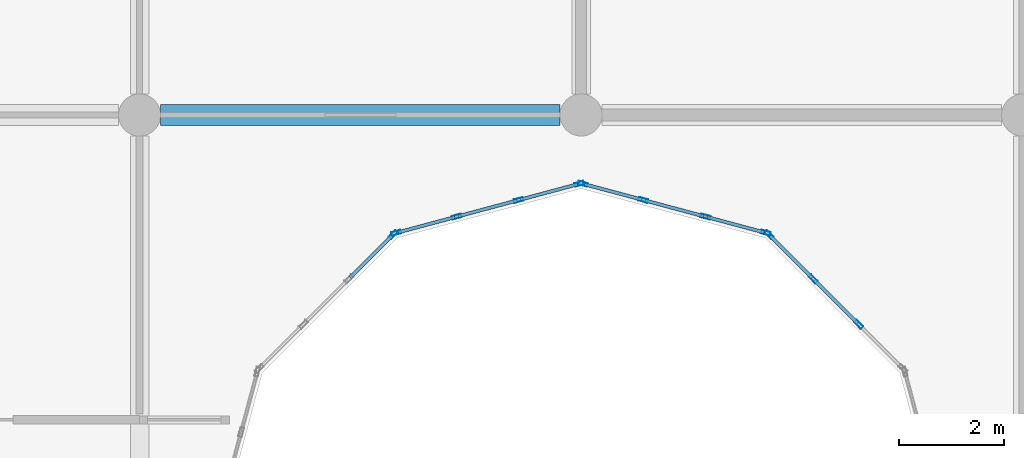
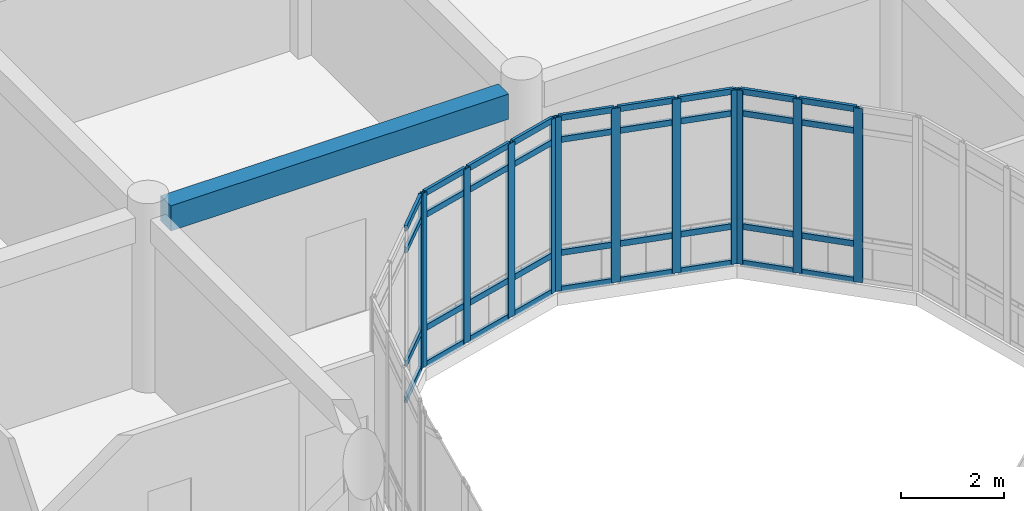
# One storey, part 49 of 144: 48 members, 1 beam, 4 elements without a shape of their own.
"""IFC4 building model written with IfcOpenShell, lengths in metres."""

from ifc_helpers import new_model, si_unit, direction, frame, origin, origin_2d, place, context, subcontext, project, spatial, rectangle, hollow_rectangle, extrude, material, layer, layer_set, material_profile, profile_set, type_object, element, aggregate, save


model = new_model("IFC4")

# Units and contexts
model_context = context("Model", 3, precision=1e-05, world=origin(), true_north=direction((0.0, 1.0)))
body_context = subcontext(model_context, "Body", "Model", "MODEL_VIEW")
ifc_project = project(units=[si_unit("LENGTHUNIT", "METRE"), si_unit("AREAUNIT", "SQUARE_METRE"), si_unit("VOLUMEUNIT", "CUBIC_METRE"), si_unit("PLANEANGLEUNIT", "RADIAN"), si_unit("MASSUNIT", "GRAM", prefix="KILO")], contexts=[model_context])

# Site, building, storey
site_placement = place(None, origin())
site = spatial("IfcSite", under=ifc_project, at=site_placement, CompositionType="ELEMENT")
building_placement = place(site_placement, origin())
building = spatial("IfcBuilding", under=site, at=building_placement, Name="Bramfleet General Hospital", CompositionType="ELEMENT")
storey_placement = place(building_placement, frame((0.0, 0.0, 4.800048828125)))
storey = spatial("IfcBuildingStorey", under=building, at=storey_placement, Name="L01", CompositionType="ELEMENT", Elevation=4.800048828125)

# Beam
ifc_material_1 = material(Name="Concrete C35/45", Category="concrete")
ifc_material_profile_1 = material_profile(ifc_material_1, rectangle(XDim=0.39990234375, YDim=0.60009765625, at=origin_2d()), Name="RC BM 600x400")
ifc_profile_set_1 = profile_set([ifc_material_profile_1], Name="Concrete C35/45")
beam_type = type_object("IfcBeamType", Name="BM-RC600", PredefinedType="BEAM", material=ifc_profile_set_1)
beam_placement = place(storey_placement, frame((76.0, 84.0, 3.849853515625), z_axis=(1.0, 0.0, 0.0), x_axis=(0.0, 1.0, 0.0)))
element("IfcBeam", 1, at=beam_placement, inside=storey, type_object=beam_type, Name="L01 Grid Beam X 09-10", PredefinedType="BEAM", context=body_context, shape_type="SweptSolid", body=[
    extrude(rectangle(XDim=0.39990234375, YDim=0.60009765625, at=origin_2d()), origin(), (0.0, 0.0, 1.0), 7.60009765625),
])

# Curtain wall, members
ifc_material_2 = material(Name="Anodised aluminium and low-E triple glazing", Category="aluminium")
ifc_layer_1 = layer(ifc_material_2, 0.179931640625, Name="CWT-CW-12")
ifc_layer_set_1 = layer_set([ifc_layer_1], Name="Anodised aluminium and low-E triple glazing")
curtain_wall_type_1 = type_object("IfcCurtainWallType", Name="CWT-CW-12", PredefinedType="USERDEFINED", material=ifc_layer_set_1)
curtain_wall_1_placement = place(storey_placement, origin())
curtain_wall_1 = element("IfcCurtainWall", 2, at=curtain_wall_1_placement, inside=storey, type_object=curtain_wall_type_1, Name="L01 Central Diagnostic Light Court Curtain Wall 8.1", ObjectType="Stick curtain wall", PredefinedType="USERDEFINED")
ifc_material_3 = material(Name="Anodised aluminium EN AW-6060", Category="aluminium")
ifc_material_profile_2 = material_profile(ifc_material_3, hollow_rectangle(XDim=0.070068359375, YDim=0.179931640625, WallThickness=0.00390625, at=origin_2d()), Name="ALU 180x70x4.0")
ifc_profile_set_2 = profile_set([ifc_material_profile_2], Name="Anodised aluminium EN AW-6060")
member_type_1 = type_object("IfcMemberType", Name="CWM-ALU180", PredefinedType="MULLION", material=ifc_profile_set_2)
member_1_placement = place(storey_placement, frame((89.28271484375, 80.016357421875, 0.0), z_axis=(0.0, 0.0, 1.0), x_axis=(-0.707106781187, -0.707106781187, 0.0)))
member_1 = element("IfcMember", 3, at=member_1_placement, type_object=member_type_1, Name="CW-12 mullion 2", PredefinedType="MULLION", context=body_context, shape_type="SweptSolid", body=[
    extrude(hollow_rectangle(XDim=0.070068359375, YDim=0.179931640625, WallThickness=0.00390625, at=origin_2d()), origin(), (0.0, 0.0, 1.0), 4.139892578125),
])
member_2_placement = place(storey_placement, frame((88.416259765625, 80.882568359375, 0.0), z_axis=(0.0, 0.0, 1.0), x_axis=(-0.707106781187, -0.707106781187, 0.0)))
member_2 = element("IfcMember", 4, at=member_2_placement, type_object=member_type_1, Name="CW-12 mullion 3", PredefinedType="MULLION", context=body_context, shape_type="SweptSolid", body=[
    extrude(hollow_rectangle(XDim=0.070068359375, YDim=0.179931640625, WallThickness=0.00390625, at=origin_2d()), origin(), (0.0, 0.0, 1.0), 4.139892578125),
])
member_3_placement = place(storey_placement, frame((87.57470703125, 81.724365234375, 0.0), z_axis=(0.0, 0.0, 1.0), x_axis=(-0.707106781187, -0.707106781187, 0.0)))
member_3 = element("IfcMember", 5, at=member_3_placement, type_object=member_type_1, Name="CW-12 mullion 4", PredefinedType="MULLION", context=body_context, shape_type="SweptSolid", body=[
    extrude(hollow_rectangle(XDim=0.070068359375, YDim=0.179931640625, WallThickness=0.00390625, at=origin_2d()), origin(), (0.0, 0.0, 1.0), 4.139892578125),
])

ifc_layer_2 = layer(ifc_material_2, 0.179931640625, Name="CWT-CW-13")
ifc_layer_set_2 = layer_set([ifc_layer_2], Name="Anodised aluminium and low-E triple glazing")
curtain_wall_type_2 = type_object("IfcCurtainWallType", Name="CWT-CW-13", PredefinedType="USERDEFINED", material=ifc_layer_set_2)
curtain_wall_2_placement = place(storey_placement, origin())
curtain_wall_2 = element("IfcCurtainWall", 6, at=curtain_wall_2_placement, inside=storey, type_object=curtain_wall_type_2, Name="L01 Central Diagnostic Light Court Curtain Wall 9.1", ObjectType="Stick curtain wall", PredefinedType="USERDEFINED")
member_4_placement = place(storey_placement, frame((87.51611328125, 81.758056640625, 0.0), z_axis=(0.0, 0.0, 1.0), x_axis=(-0.258763286618, -0.965940765005, 0.0)))
member_4 = element("IfcMember", 7, at=member_4_placement, type_object=member_type_1, Name="CW-13 mullion 1", PredefinedType="MULLION", context=body_context, shape_type="SweptSolid", body=[
    extrude(hollow_rectangle(XDim=0.070068359375, YDim=0.179931640625, WallThickness=0.00390625, at=origin_2d()), origin(), (0.0, 0.0, 1.0), 4.139892578125),
])
member_5_placement = place(storey_placement, frame((86.36669921875, 82.06591796875, 0.0), z_axis=(0.0, 0.0, 1.0), x_axis=(-0.258763286618, -0.965940765005, 0.0)))
member_5 = element("IfcMember", 8, at=member_5_placement, type_object=member_type_1, Name="CW-13 mullion 2", PredefinedType="MULLION", context=body_context, shape_type="SweptSolid", body=[
    extrude(hollow_rectangle(XDim=0.070068359375, YDim=0.179931640625, WallThickness=0.00390625, at=origin_2d()), origin(), (0.0, 0.0, 1.0), 4.139892578125),
])
member_6_placement = place(storey_placement, frame((85.183349609375, 82.383056640625, 0.0), z_axis=(0.0, 0.0, 1.0), x_axis=(-0.258763286618, -0.965940765005, 0.0)))
member_6 = element("IfcMember", 9, at=member_6_placement, type_object=member_type_1, Name="CW-13 mullion 3", PredefinedType="MULLION", context=body_context, shape_type="SweptSolid", body=[
    extrude(hollow_rectangle(XDim=0.070068359375, YDim=0.179931640625, WallThickness=0.00390625, at=origin_2d()), origin(), (0.0, 0.0, 1.0), 4.139892578125),
])
member_7_placement = place(storey_placement, frame((84.03369140625, 82.69091796875, 0.0), z_axis=(0.0, 0.0, 1.0), x_axis=(-0.258763286618, -0.965940765005, 0.0)))
member_7 = element("IfcMember", 10, at=member_7_placement, type_object=member_type_1, Name="CW-13 mullion 4", PredefinedType="MULLION", context=body_context, shape_type="SweptSolid", body=[
    extrude(hollow_rectangle(XDim=0.070068359375, YDim=0.179931640625, WallThickness=0.00390625, at=origin_2d()), origin(), (0.0, 0.0, 1.0), 4.139892578125),
])

ifc_layer_3 = layer(ifc_material_2, 0.179931640625, Name="CWT-CW-14")
ifc_layer_set_3 = layer_set([ifc_layer_3], Name="Anodised aluminium and low-E triple glazing")
curtain_wall_type_3 = type_object("IfcCurtainWallType", Name="CWT-CW-14", PredefinedType="USERDEFINED", material=ifc_layer_set_3)
curtain_wall_3_placement = place(storey_placement, origin())
curtain_wall_3 = element("IfcCurtainWall", 11, at=curtain_wall_3_placement, inside=storey, type_object=curtain_wall_type_3, Name="L01 Central Diagnostic Light Court Curtain Wall 10.1", ObjectType="Stick curtain wall", PredefinedType="USERDEFINED")
member_8_placement = place(storey_placement, frame((83.96630859375, 82.69091796875, 0.0), z_axis=(0.0, 0.0, 1.0), x_axis=(0.258763286618, -0.965940765005, 0.0)))
member_8 = element("IfcMember", 12, at=member_8_placement, type_object=member_type_1, Name="CW-14 mullion 1", PredefinedType="MULLION", context=body_context, shape_type="SweptSolid", body=[
    extrude(hollow_rectangle(XDim=0.070068359375, YDim=0.179931640625, WallThickness=0.00390625, at=origin_2d()), origin(), (0.0, 0.0, 1.0), 4.139892578125),
])
member_9_placement = place(storey_placement, frame((82.816650390625, 82.383056640625, 0.0), z_axis=(0.0, 0.0, 1.0), x_axis=(0.258763286618, -0.965940765005, 0.0)))
member_9 = element("IfcMember", 13, at=member_9_placement, type_object=member_type_1, Name="CW-14 mullion 2", PredefinedType="MULLION", context=body_context, shape_type="SweptSolid", body=[
    extrude(hollow_rectangle(XDim=0.070068359375, YDim=0.179931640625, WallThickness=0.00390625, at=origin_2d()), origin(), (0.0, 0.0, 1.0), 4.139892578125),
])
member_10_placement = place(storey_placement, frame((81.63330078125, 82.06591796875, 0.0), z_axis=(0.0, 0.0, 1.0), x_axis=(0.258763286618, -0.965940765005, 0.0)))
member_10 = element("IfcMember", 14, at=member_10_placement, type_object=member_type_1, Name="CW-14 mullion 3", PredefinedType="MULLION", context=body_context, shape_type="SweptSolid", body=[
    extrude(hollow_rectangle(XDim=0.070068359375, YDim=0.179931640625, WallThickness=0.00390625, at=origin_2d()), origin(), (0.0, 0.0, 1.0), 4.139892578125),
])
member_11_placement = place(storey_placement, frame((80.48388671875, 81.758056640625, 0.0), z_axis=(0.0, 0.0, 1.0), x_axis=(0.258763286618, -0.965940765005, 0.0)))
member_11 = element("IfcMember", 15, at=member_11_placement, type_object=member_type_1, Name="CW-14 mullion 4", PredefinedType="MULLION", context=body_context, shape_type="SweptSolid", body=[
    extrude(hollow_rectangle(XDim=0.070068359375, YDim=0.179931640625, WallThickness=0.00390625, at=origin_2d()), origin(), (0.0, 0.0, 1.0), 4.139892578125),
])

# Curtain wall, member
ifc_layer_4 = layer(ifc_material_2, 0.179931640625, Name="CWT-CW-15")
ifc_layer_set_4 = layer_set([ifc_layer_4], Name="Anodised aluminium and low-E triple glazing")
curtain_wall_type_4 = type_object("IfcCurtainWallType", Name="CWT-CW-15", PredefinedType="USERDEFINED", material=ifc_layer_set_4)
curtain_wall_4_placement = place(storey_placement, origin())
curtain_wall_4 = element("IfcCurtainWall", 16, at=curtain_wall_4_placement, inside=storey, type_object=curtain_wall_type_4, Name="L01 Central Diagnostic Light Court Curtain Wall 11.1", ObjectType="Stick curtain wall", PredefinedType="USERDEFINED")
member_12_placement = place(storey_placement, frame((80.42529296875, 81.724365234375, 0.0), z_axis=(0.0, 0.0, 1.0), x_axis=(0.707106781187, -0.707106781187, 0.0)))
member_12 = element("IfcMember", 17, at=member_12_placement, type_object=member_type_1, Name="CW-15 mullion 1", PredefinedType="MULLION", context=body_context, shape_type="SweptSolid", body=[
    extrude(hollow_rectangle(XDim=0.070068359375, YDim=0.179931640625, WallThickness=0.00390625, at=origin_2d()), origin(), (0.0, 0.0, 1.0), 4.139892578125),
])

# Member
ifc_material_profile_3 = material_profile(ifc_material_3, hollow_rectangle(XDim=0.06494140625, YDim=0.139892578125, WallThickness=0.00390625, at=origin_2d()), Name="ALU 140x65x4.0")
ifc_profile_set_3 = profile_set([ifc_material_profile_3], Name="Anodised aluminium EN AW-6060")
member_type_2 = type_object("IfcMemberType", Name="CWT-ALU140", PredefinedType="USERDEFINED", material=ifc_profile_set_3)
member_13_placement = place(storey_placement, frame((89.2578125, 80.041015625, 0.032470703125), z_axis=(-0.707001093006, 0.707212453572, 0.0), x_axis=(-0.707212453572, -0.707001093006, 0.0)))
member_13 = element("IfcMember", 18, at=member_13_placement, type_object=member_type_2, Name="CW-12 transom 2.1", ObjectType="TRANSOM", PredefinedType="USERDEFINED", context=body_context, shape_type="SweptSolid", body=[
    extrude(hollow_rectangle(XDim=0.06494140625, YDim=0.139892578125, WallThickness=0.00390625, at=origin_2d()), origin(), (0.0, 0.0, 1.0), 1.155029296875),
])

member_14_placement = place(storey_placement, frame((89.2578125, 80.041015625, 0.89990234375), z_axis=(-0.707001093006, 0.707212453572, 0.0), x_axis=(-0.707212453572, -0.707001093006, 0.0)))
member_14 = element("IfcMember", 19, at=member_14_placement, type_object=member_type_2, Name="CW-12 transom 2.2", ObjectType="TRANSOM", PredefinedType="USERDEFINED", context=body_context, shape_type="SweptSolid", body=[
    extrude(hollow_rectangle(XDim=0.06494140625, YDim=0.139892578125, WallThickness=0.00390625, at=origin_2d()), origin(), (0.0, 0.0, 1.0), 1.155029296875),
])

member_15_placement = place(storey_placement, frame((89.2578125, 80.041015625, 3.58984375), z_axis=(-0.707001093006, 0.707212453572, 0.0), x_axis=(-0.707212453572, -0.707001093006, 0.0)))
member_15 = element("IfcMember", 20, at=member_15_placement, type_object=member_type_2, Name="CW-12 transom 2.3", ObjectType="TRANSOM", PredefinedType="USERDEFINED", context=body_context, shape_type="SweptSolid", body=[
    extrude(hollow_rectangle(XDim=0.06494140625, YDim=0.139892578125, WallThickness=0.00390625, at=origin_2d()), origin(), (0.0, 0.0, 1.0), 1.155029296875),
])

member_16_placement = place(storey_placement, frame((89.2578125, 80.041015625, 4.107421875), z_axis=(-0.707001093006, 0.707212453572, 0.0), x_axis=(-0.707212453572, -0.707001093006, 0.0)))
member_16 = element("IfcMember", 21, at=member_16_placement, type_object=member_type_2, Name="CW-12 transom 2.4", ObjectType="TRANSOM", PredefinedType="USERDEFINED", context=body_context, shape_type="SweptSolid", body=[
    extrude(hollow_rectangle(XDim=0.06494140625, YDim=0.139892578125, WallThickness=0.00390625, at=origin_2d()), origin(), (0.0, 0.0, 1.0), 1.155029296875),
])

member_17_placement = place(storey_placement, frame((88.3916015625, 80.907470703125, 0.032470703125), z_axis=(-0.707106781187, 0.707106781187, 0.0), x_axis=(-0.707106781187, -0.707106781187, 0.0)))
member_17 = element("IfcMember", 22, at=member_17_placement, type_object=member_type_2, Name="CW-12 transom 3.1", ObjectType="TRANSOM", PredefinedType="USERDEFINED", context=body_context, shape_type="SweptSolid", body=[
    extrude(hollow_rectangle(XDim=0.06494140625, YDim=0.139892578125, WallThickness=0.00390625, at=origin_2d()), origin(), (0.0, 0.0, 1.0), 1.1201171875),
])

member_18_placement = place(storey_placement, frame((88.3916015625, 80.907470703125, 0.89990234375), z_axis=(-0.707106781187, 0.707106781187, 0.0), x_axis=(-0.707106781187, -0.707106781187, 0.0)))
member_18 = element("IfcMember", 23, at=member_18_placement, type_object=member_type_2, Name="CW-12 transom 3.2", ObjectType="TRANSOM", PredefinedType="USERDEFINED", context=body_context, shape_type="SweptSolid", body=[
    extrude(hollow_rectangle(XDim=0.06494140625, YDim=0.139892578125, WallThickness=0.00390625, at=origin_2d()), origin(), (0.0, 0.0, 1.0), 1.1201171875),
])

member_19_placement = place(storey_placement, frame((88.3916015625, 80.907470703125, 3.58984375), z_axis=(-0.707106781187, 0.707106781187, 0.0), x_axis=(-0.707106781187, -0.707106781187, 0.0)))
member_19 = element("IfcMember", 24, at=member_19_placement, type_object=member_type_2, Name="CW-12 transom 3.3", ObjectType="TRANSOM", PredefinedType="USERDEFINED", context=body_context, shape_type="SweptSolid", body=[
    extrude(hollow_rectangle(XDim=0.06494140625, YDim=0.139892578125, WallThickness=0.00390625, at=origin_2d()), origin(), (0.0, 0.0, 1.0), 1.1201171875),
])

member_20_placement = place(storey_placement, frame((88.3916015625, 80.907470703125, 4.107421875), z_axis=(-0.707106781187, 0.707106781187, 0.0), x_axis=(-0.707106781187, -0.707106781187, 0.0)))
member_20 = element("IfcMember", 25, at=member_20_placement, type_object=member_type_2, Name="CW-12 transom 3.4", ObjectType="TRANSOM", PredefinedType="USERDEFINED", context=body_context, shape_type="SweptSolid", body=[
    extrude(hollow_rectangle(XDim=0.06494140625, YDim=0.139892578125, WallThickness=0.00390625, at=origin_2d()), origin(), (0.0, 0.0, 1.0), 1.1201171875),
])

aggregate(curtain_wall_1, [member_1, member_2, member_3, member_13, member_14, member_15, member_16, member_17, member_18, member_19, member_20])

member_21_placement = place(storey_placement, frame((87.482421875, 81.76708984375, 0.032470703125), z_axis=(-0.965955832691, 0.25870703371, 0.0), x_axis=(-0.25870703371, -0.965955832691, 0.0)))
member_21 = element("IfcMember", 26, at=member_21_placement, type_object=member_type_2, Name="CW-13 transom 1.1", ObjectType="TRANSOM", PredefinedType="USERDEFINED", context=body_context, shape_type="SweptSolid", body=[
    extrude(hollow_rectangle(XDim=0.06494140625, YDim=0.139892578125, WallThickness=0.00390625, at=origin_2d()), origin(), (0.0, 0.0, 1.0), 1.1201171875),
])

member_22_placement = place(storey_placement, frame((87.482421875, 81.76708984375, 0.89990234375), z_axis=(-0.965955832691, 0.25870703371, 0.0), x_axis=(-0.25870703371, -0.965955832691, 0.0)))
member_22 = element("IfcMember", 27, at=member_22_placement, type_object=member_type_2, Name="CW-13 transom 1.2", ObjectType="TRANSOM", PredefinedType="USERDEFINED", context=body_context, shape_type="SweptSolid", body=[
    extrude(hollow_rectangle(XDim=0.06494140625, YDim=0.139892578125, WallThickness=0.00390625, at=origin_2d()), origin(), (0.0, 0.0, 1.0), 1.1201171875),
])

member_23_placement = place(storey_placement, frame((87.482421875, 81.76708984375, 3.58984375), z_axis=(-0.965955832691, 0.25870703371, 0.0), x_axis=(-0.25870703371, -0.965955832691, 0.0)))
member_23 = element("IfcMember", 28, at=member_23_placement, type_object=member_type_2, Name="CW-13 transom 1.3", ObjectType="TRANSOM", PredefinedType="USERDEFINED", context=body_context, shape_type="SweptSolid", body=[
    extrude(hollow_rectangle(XDim=0.06494140625, YDim=0.139892578125, WallThickness=0.00390625, at=origin_2d()), origin(), (0.0, 0.0, 1.0), 1.1201171875),
])

member_24_placement = place(storey_placement, frame((87.482421875, 81.76708984375, 4.107421875), z_axis=(-0.965955832691, 0.25870703371, 0.0), x_axis=(-0.25870703371, -0.965955832691, 0.0)))
member_24 = element("IfcMember", 29, at=member_24_placement, type_object=member_type_2, Name="CW-13 transom 1.4", ObjectType="TRANSOM", PredefinedType="USERDEFINED", context=body_context, shape_type="SweptSolid", body=[
    extrude(hollow_rectangle(XDim=0.06494140625, YDim=0.139892578125, WallThickness=0.00390625, at=origin_2d()), origin(), (0.0, 0.0, 1.0), 1.1201171875),
])

member_25_placement = place(storey_placement, frame((86.332763671875, 82.074951171875, 0.032470703125), z_axis=(-0.96590087162, 0.258912159242, 0.0), x_axis=(-0.258912159242, -0.96590087162, 0.0)))
member_25 = element("IfcMember", 30, at=member_25_placement, type_object=member_type_2, Name="CW-13 transom 2.1", ObjectType="TRANSOM", PredefinedType="USERDEFINED", context=body_context, shape_type="SweptSolid", body=[
    extrude(hollow_rectangle(XDim=0.06494140625, YDim=0.139892578125, WallThickness=0.00390625, at=origin_2d()), origin(), (0.0, 0.0, 1.0), 1.155029296875),
])

member_26_placement = place(storey_placement, frame((86.332763671875, 82.074951171875, 0.89990234375), z_axis=(-0.96590087162, 0.258912159242, 0.0), x_axis=(-0.258912159242, -0.96590087162, 0.0)))
member_26 = element("IfcMember", 31, at=member_26_placement, type_object=member_type_2, Name="CW-13 transom 2.2", ObjectType="TRANSOM", PredefinedType="USERDEFINED", context=body_context, shape_type="SweptSolid", body=[
    extrude(hollow_rectangle(XDim=0.06494140625, YDim=0.139892578125, WallThickness=0.00390625, at=origin_2d()), origin(), (0.0, 0.0, 1.0), 1.155029296875),
])

member_27_placement = place(storey_placement, frame((86.332763671875, 82.074951171875, 3.58984375), z_axis=(-0.96590087162, 0.258912159242, 0.0), x_axis=(-0.258912159242, -0.96590087162, 0.0)))
member_27 = element("IfcMember", 32, at=member_27_placement, type_object=member_type_2, Name="CW-13 transom 2.3", ObjectType="TRANSOM", PredefinedType="USERDEFINED", context=body_context, shape_type="SweptSolid", body=[
    extrude(hollow_rectangle(XDim=0.06494140625, YDim=0.139892578125, WallThickness=0.00390625, at=origin_2d()), origin(), (0.0, 0.0, 1.0), 1.155029296875),
])

member_28_placement = place(storey_placement, frame((86.332763671875, 82.074951171875, 4.107421875), z_axis=(-0.96590087162, 0.258912159242, 0.0), x_axis=(-0.258912159242, -0.96590087162, 0.0)))
member_28 = element("IfcMember", 33, at=member_28_placement, type_object=member_type_2, Name="CW-13 transom 2.4", ObjectType="TRANSOM", PredefinedType="USERDEFINED", context=body_context, shape_type="SweptSolid", body=[
    extrude(hollow_rectangle(XDim=0.06494140625, YDim=0.139892578125, WallThickness=0.00390625, at=origin_2d()), origin(), (0.0, 0.0, 1.0), 1.155029296875),
])

member_29_placement = place(storey_placement, frame((85.1494140625, 82.39208984375, 0.032470703125), z_axis=(-0.965941240814, 0.258761510459, 0.0), x_axis=(-0.258761510459, -0.965941240814, 0.0)))
member_29 = element("IfcMember", 34, at=member_29_placement, type_object=member_type_2, Name="CW-13 transom 3.1", ObjectType="TRANSOM", PredefinedType="USERDEFINED", context=body_context, shape_type="SweptSolid", body=[
    extrude(hollow_rectangle(XDim=0.06494140625, YDim=0.139892578125, WallThickness=0.00390625, at=origin_2d()), origin(), (0.0, 0.0, 1.0), 1.119873046875),
])

member_30_placement = place(storey_placement, frame((85.1494140625, 82.39208984375, 0.89990234375), z_axis=(-0.965941240814, 0.258761510459, 0.0), x_axis=(-0.258761510459, -0.965941240814, 0.0)))
member_30 = element("IfcMember", 35, at=member_30_placement, type_object=member_type_2, Name="CW-13 transom 3.2", ObjectType="TRANSOM", PredefinedType="USERDEFINED", context=body_context, shape_type="SweptSolid", body=[
    extrude(hollow_rectangle(XDim=0.06494140625, YDim=0.139892578125, WallThickness=0.00390625, at=origin_2d()), origin(), (0.0, 0.0, 1.0), 1.119873046875),
])

member_31_placement = place(storey_placement, frame((85.1494140625, 82.39208984375, 3.58984375), z_axis=(-0.965941240814, 0.258761510459, 0.0), x_axis=(-0.258761510459, -0.965941240814, 0.0)))
member_31 = element("IfcMember", 36, at=member_31_placement, type_object=member_type_2, Name="CW-13 transom 3.3", ObjectType="TRANSOM", PredefinedType="USERDEFINED", context=body_context, shape_type="SweptSolid", body=[
    extrude(hollow_rectangle(XDim=0.06494140625, YDim=0.139892578125, WallThickness=0.00390625, at=origin_2d()), origin(), (0.0, 0.0, 1.0), 1.119873046875),
])

member_32_placement = place(storey_placement, frame((85.1494140625, 82.39208984375, 4.107421875), z_axis=(-0.965941240814, 0.258761510459, 0.0), x_axis=(-0.258761510459, -0.965941240814, 0.0)))
member_32 = element("IfcMember", 37, at=member_32_placement, type_object=member_type_2, Name="CW-13 transom 3.4", ObjectType="TRANSOM", PredefinedType="USERDEFINED", context=body_context, shape_type="SweptSolid", body=[
    extrude(hollow_rectangle(XDim=0.06494140625, YDim=0.139892578125, WallThickness=0.00390625, at=origin_2d()), origin(), (0.0, 0.0, 1.0), 1.119873046875),
])

aggregate(curtain_wall_2, [member_4, member_5, member_6, member_7, member_21, member_22, member_23, member_24, member_25, member_26, member_27, member_28, member_29, member_30, member_31, member_32])

member_33_placement = place(storey_placement, frame((83.932373046875, 82.681884765625, 0.032470703125), z_axis=(-0.965941240814, -0.258761510459, 0.0), x_axis=(0.258761510459, -0.965941240814, 0.0)))
member_33 = element("IfcMember", 38, at=member_33_placement, type_object=member_type_2, Name="CW-14 transom 1.1", ObjectType="TRANSOM", PredefinedType="USERDEFINED", context=body_context, shape_type="SweptSolid", body=[
    extrude(hollow_rectangle(XDim=0.06494140625, YDim=0.139892578125, WallThickness=0.00390625, at=origin_2d()), origin(), (0.0, 0.0, 1.0), 1.119873046875),
])

member_34_placement = place(storey_placement, frame((83.932373046875, 82.681884765625, 0.89990234375), z_axis=(-0.965941240814, -0.258761510459, 0.0), x_axis=(0.258761510459, -0.965941240814, 0.0)))
member_34 = element("IfcMember", 39, at=member_34_placement, type_object=member_type_2, Name="CW-14 transom 1.2", ObjectType="TRANSOM", PredefinedType="USERDEFINED", context=body_context, shape_type="SweptSolid", body=[
    extrude(hollow_rectangle(XDim=0.06494140625, YDim=0.139892578125, WallThickness=0.00390625, at=origin_2d()), origin(), (0.0, 0.0, 1.0), 1.119873046875),
])

member_35_placement = place(storey_placement, frame((83.932373046875, 82.681884765625, 3.58984375), z_axis=(-0.965941240814, -0.258761510459, 0.0), x_axis=(0.258761510459, -0.965941240814, 0.0)))
member_35 = element("IfcMember", 40, at=member_35_placement, type_object=member_type_2, Name="CW-14 transom 1.3", ObjectType="TRANSOM", PredefinedType="USERDEFINED", context=body_context, shape_type="SweptSolid", body=[
    extrude(hollow_rectangle(XDim=0.06494140625, YDim=0.139892578125, WallThickness=0.00390625, at=origin_2d()), origin(), (0.0, 0.0, 1.0), 1.119873046875),
])

member_36_placement = place(storey_placement, frame((83.932373046875, 82.681884765625, 4.107421875), z_axis=(-0.965941240814, -0.258761510459, 0.0), x_axis=(0.258761510459, -0.965941240814, 0.0)))
member_36 = element("IfcMember", 41, at=member_36_placement, type_object=member_type_2, Name="CW-14 transom 1.4", ObjectType="TRANSOM", PredefinedType="USERDEFINED", context=body_context, shape_type="SweptSolid", body=[
    extrude(hollow_rectangle(XDim=0.06494140625, YDim=0.139892578125, WallThickness=0.00390625, at=origin_2d()), origin(), (0.0, 0.0, 1.0), 1.119873046875),
])

member_37_placement = place(storey_placement, frame((82.782958984375, 82.3740234375, 0.032470703125), z_axis=(-0.96590087162, -0.258912159242, 0.0), x_axis=(0.258912159242, -0.96590087162, 0.0)))
member_37 = element("IfcMember", 42, at=member_37_placement, type_object=member_type_2, Name="CW-14 transom 2.1", ObjectType="TRANSOM", PredefinedType="USERDEFINED", context=body_context, shape_type="SweptSolid", body=[
    extrude(hollow_rectangle(XDim=0.06494140625, YDim=0.139892578125, WallThickness=0.00390625, at=origin_2d()), origin(), (0.0, 0.0, 1.0), 1.155029296875),
])

member_38_placement = place(storey_placement, frame((82.782958984375, 82.3740234375, 0.89990234375), z_axis=(-0.96590087162, -0.258912159242, 0.0), x_axis=(0.258912159242, -0.96590087162, 0.0)))
member_38 = element("IfcMember", 43, at=member_38_placement, type_object=member_type_2, Name="CW-14 transom 2.2", ObjectType="TRANSOM", PredefinedType="USERDEFINED", context=body_context, shape_type="SweptSolid", body=[
    extrude(hollow_rectangle(XDim=0.06494140625, YDim=0.139892578125, WallThickness=0.00390625, at=origin_2d()), origin(), (0.0, 0.0, 1.0), 1.155029296875),
])

member_39_placement = place(storey_placement, frame((82.782958984375, 82.3740234375, 3.58984375), z_axis=(-0.96590087162, -0.258912159242, 0.0), x_axis=(0.258912159242, -0.96590087162, 0.0)))
member_39 = element("IfcMember", 44, at=member_39_placement, type_object=member_type_2, Name="CW-14 transom 2.3", ObjectType="TRANSOM", PredefinedType="USERDEFINED", context=body_context, shape_type="SweptSolid", body=[
    extrude(hollow_rectangle(XDim=0.06494140625, YDim=0.139892578125, WallThickness=0.00390625, at=origin_2d()), origin(), (0.0, 0.0, 1.0), 1.155029296875),
])

member_40_placement = place(storey_placement, frame((82.782958984375, 82.3740234375, 4.107421875), z_axis=(-0.96590087162, -0.258912159242, 0.0), x_axis=(0.258912159242, -0.96590087162, 0.0)))
member_40 = element("IfcMember", 45, at=member_40_placement, type_object=member_type_2, Name="CW-14 transom 2.4", ObjectType="TRANSOM", PredefinedType="USERDEFINED", context=body_context, shape_type="SweptSolid", body=[
    extrude(hollow_rectangle(XDim=0.06494140625, YDim=0.139892578125, WallThickness=0.00390625, at=origin_2d()), origin(), (0.0, 0.0, 1.0), 1.155029296875),
])

member_41_placement = place(storey_placement, frame((81.599609375, 82.056884765625, 0.032470703125), z_axis=(-0.965955832691, -0.25870703371, 0.0), x_axis=(0.25870703371, -0.965955832691, 0.0)))
member_41 = element("IfcMember", 46, at=member_41_placement, type_object=member_type_2, Name="CW-14 transom 3.1", ObjectType="TRANSOM", PredefinedType="USERDEFINED", context=body_context, shape_type="SweptSolid", body=[
    extrude(hollow_rectangle(XDim=0.06494140625, YDim=0.139892578125, WallThickness=0.00390625, at=origin_2d()), origin(), (0.0, 0.0, 1.0), 1.1201171875),
])

member_42_placement = place(storey_placement, frame((81.599609375, 82.056884765625, 0.89990234375), z_axis=(-0.965955832691, -0.25870703371, 0.0), x_axis=(0.25870703371, -0.965955832691, 0.0)))
member_42 = element("IfcMember", 47, at=member_42_placement, type_object=member_type_2, Name="CW-14 transom 3.2", ObjectType="TRANSOM", PredefinedType="USERDEFINED", context=body_context, shape_type="SweptSolid", body=[
    extrude(hollow_rectangle(XDim=0.06494140625, YDim=0.139892578125, WallThickness=0.00390625, at=origin_2d()), origin(), (0.0, 0.0, 1.0), 1.1201171875),
])

member_43_placement = place(storey_placement, frame((81.599609375, 82.056884765625, 3.58984375), z_axis=(-0.965955832691, -0.25870703371, 0.0), x_axis=(0.25870703371, -0.965955832691, 0.0)))
member_43 = element("IfcMember", 48, at=member_43_placement, type_object=member_type_2, Name="CW-14 transom 3.3", ObjectType="TRANSOM", PredefinedType="USERDEFINED", context=body_context, shape_type="SweptSolid", body=[
    extrude(hollow_rectangle(XDim=0.06494140625, YDim=0.139892578125, WallThickness=0.00390625, at=origin_2d()), origin(), (0.0, 0.0, 1.0), 1.1201171875),
])

member_44_placement = place(storey_placement, frame((81.599609375, 82.056884765625, 4.107421875), z_axis=(-0.965955832691, -0.25870703371, 0.0), x_axis=(0.25870703371, -0.965955832691, 0.0)))
member_44 = element("IfcMember", 49, at=member_44_placement, type_object=member_type_2, Name="CW-14 transom 3.4", ObjectType="TRANSOM", PredefinedType="USERDEFINED", context=body_context, shape_type="SweptSolid", body=[
    extrude(hollow_rectangle(XDim=0.06494140625, YDim=0.139892578125, WallThickness=0.00390625, at=origin_2d()), origin(), (0.0, 0.0, 1.0), 1.1201171875),
])

aggregate(curtain_wall_3, [member_8, member_9, member_10, member_11, member_33, member_34, member_35, member_36, member_37, member_38, member_39, member_40, member_41, member_42, member_43, member_44])

member_45_placement = place(storey_placement, frame((80.400390625, 81.699462890625, 0.032470703125), z_axis=(-0.707106781187, -0.707106781187, 0.0), x_axis=(0.707106781187, -0.707106781187, 0.0)))
member_45 = element("IfcMember", 50, at=member_45_placement, type_object=member_type_2, Name="CW-15 transom 1.1", ObjectType="TRANSOM", PredefinedType="USERDEFINED", context=body_context, shape_type="SweptSolid", body=[
    extrude(hollow_rectangle(XDim=0.06494140625, YDim=0.139892578125, WallThickness=0.00390625, at=origin_2d()), origin(), (0.0, 0.0, 1.0), 1.1201171875),
])

member_46_placement = place(storey_placement, frame((80.400390625, 81.699462890625, 0.89990234375), z_axis=(-0.707106781187, -0.707106781187, 0.0), x_axis=(0.707106781187, -0.707106781187, 0.0)))
member_46 = element("IfcMember", 51, at=member_46_placement, type_object=member_type_2, Name="CW-15 transom 1.2", ObjectType="TRANSOM", PredefinedType="USERDEFINED", context=body_context, shape_type="SweptSolid", body=[
    extrude(hollow_rectangle(XDim=0.06494140625, YDim=0.139892578125, WallThickness=0.00390625, at=origin_2d()), origin(), (0.0, 0.0, 1.0), 1.1201171875),
])

member_47_placement = place(storey_placement, frame((80.400390625, 81.699462890625, 3.58984375), z_axis=(-0.707106781187, -0.707106781187, 0.0), x_axis=(0.707106781187, -0.707106781187, 0.0)))
member_47 = element("IfcMember", 52, at=member_47_placement, type_object=member_type_2, Name="CW-15 transom 1.3", ObjectType="TRANSOM", PredefinedType="USERDEFINED", context=body_context, shape_type="SweptSolid", body=[
    extrude(hollow_rectangle(XDim=0.06494140625, YDim=0.139892578125, WallThickness=0.00390625, at=origin_2d()), origin(), (0.0, 0.0, 1.0), 1.1201171875),
])

member_48_placement = place(storey_placement, frame((80.400390625, 81.699462890625, 4.107421875), z_axis=(-0.707106781187, -0.707106781187, 0.0), x_axis=(0.707106781187, -0.707106781187, 0.0)))
member_48 = element("IfcMember", 53, at=member_48_placement, type_object=member_type_2, Name="CW-15 transom 1.4", ObjectType="TRANSOM", PredefinedType="USERDEFINED", context=body_context, shape_type="SweptSolid", body=[
    extrude(hollow_rectangle(XDim=0.06494140625, YDim=0.139892578125, WallThickness=0.00390625, at=origin_2d()), origin(), (0.0, 0.0, 1.0), 1.1201171875),
])

aggregate(curtain_wall_4, [member_12, member_45, member_46, member_47, member_48])

save(model, "model.ifc")
